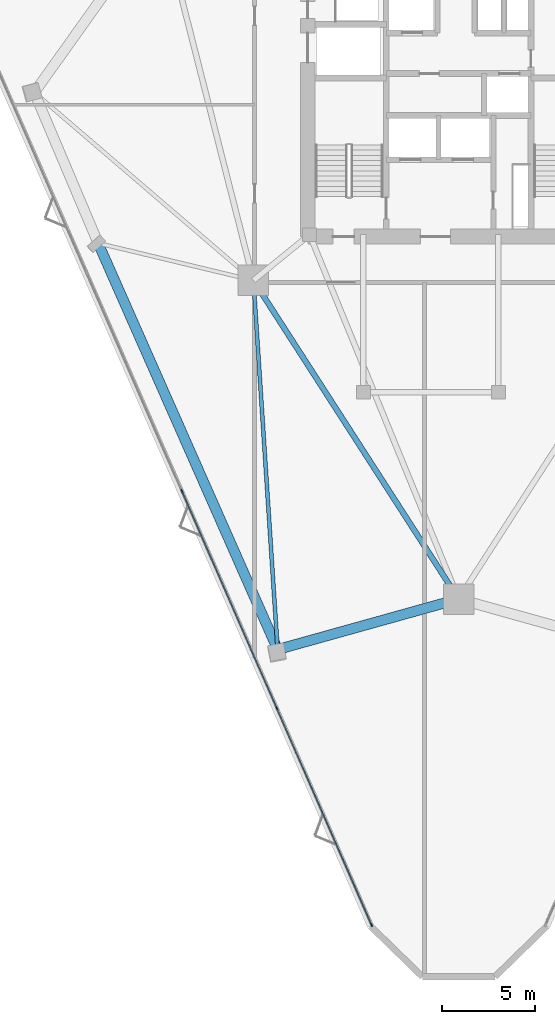
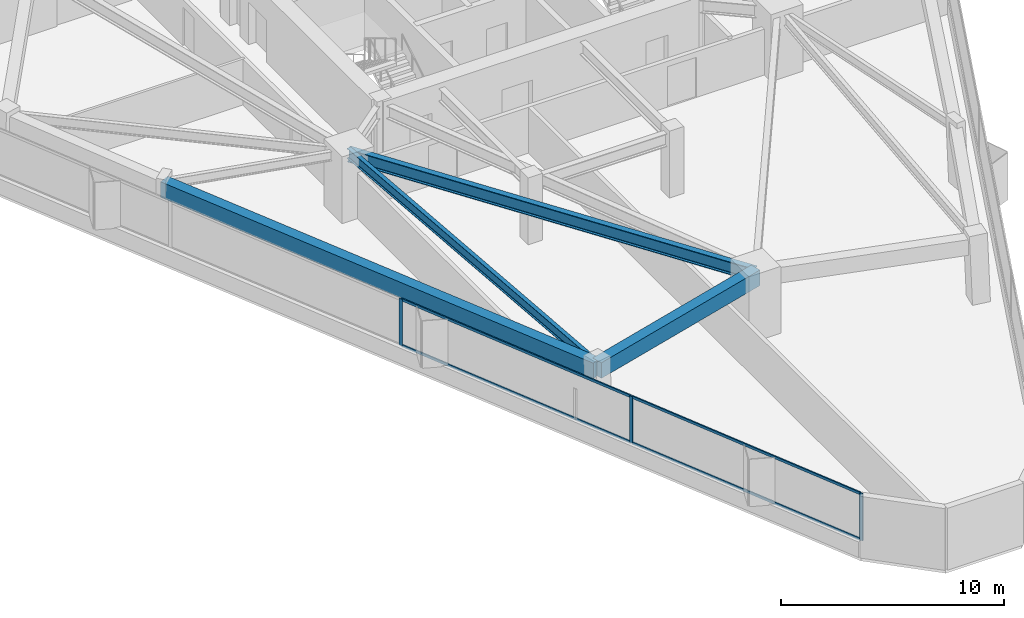
# One storey, part 2 of 16: 7 members, 4 beams, 1 element without a shape of its own.
"""IFC4 building model written with IfcOpenShell, lengths in metres."""

from ifc_helpers import new_model, si_unit, direction, frame, origin, origin_2d, place, context, subcontext, project, spatial, rectangle, i_section, extrude, material, layer, layer_set, material_profile, profile_set, type_object, element, aggregate, save


model = new_model("IFC4")

# Units and contexts
model_context = context("Model", 3, precision=1e-05, world=origin(), true_north=direction((0.0, 1.0)))
body_context = subcontext(model_context, "Body", "Model", "MODEL_VIEW")
ifc_project = project(units=[si_unit("LENGTHUNIT", "METRE"), si_unit("AREAUNIT", "SQUARE_METRE"), si_unit("VOLUMEUNIT", "CUBIC_METRE"), si_unit("PLANEANGLEUNIT", "RADIAN"), si_unit("MASSUNIT", "GRAM", prefix="KILO")], contexts=[model_context])

# Site, building, storey
site_placement = place(None, origin())
site = spatial("IfcSite", under=ifc_project, at=site_placement, CompositionType="ELEMENT")
building_placement = place(site_placement, origin())
building = spatial("IfcBuilding", under=site, at=building_placement, Name="Talyreon Biosciences Tower", CompositionType="ELEMENT")
storey_placement = place(building_placement, frame((0.0, 0.0, 107.85009765625)))
storey = spatial("IfcBuildingStorey", under=building, at=storey_placement, Name="L28", CompositionType="ELEMENT", Elevation=107.85009765625)

# Curtain wall, members
ifc_material_1 = material(Name="Thermally broken aluminium and low-E glazing", Category="aluminium")
ifc_layer = layer(ifc_material_1, 0.18994140625)
ifc_layer_set = layer_set([ifc_layer], Name="Thermally broken aluminium and low-E glazing")
curtain_wall_type = type_object("IfcCurtainWallType", Name="CurtainWall_Zone2Genomics", PredefinedType="NOTDEFINED", material=ifc_layer_set)
curtain_wall_placement = place(storey_placement, origin())
curtain_wall = element("IfcCurtainWall", 1, at=curtain_wall_placement, inside=storey, type_object=curtain_wall_type, Name="L28 Unitised Curtain Wall FCW-L28-00", PredefinedType="NOTDEFINED")
ifc_material_2 = material(Name="Anodised thermally broken aluminium", Category="aluminium")
ifc_material_profile_1 = material_profile(ifc_material_2, rectangle(XDim=0.06494140625, YDim=0.179931640625, at=origin_2d()), Name="ALUM MULLION 65x180")
ifc_profile_set_1 = profile_set([ifc_material_profile_1], Name="Anodised thermally broken aluminium")
member_type_1 = type_object("IfcMemberType", Name="CWMullion_65x180", PredefinedType="MULLION", material=ifc_profile_set_1)
member_1_placement = place(storey_placement, frame((61.295166015625, 24.0537109375, 0.809814453125), z_axis=(0.0, 0.0, 1.0), x_axis=(-0.9163461482, -0.400386983653, 0.0)))
member_1 = element("IfcMember", 2, at=member_1_placement, type_object=member_type_1, Name="CW3 mullion 1", PredefinedType="MULLION", context=body_context, shape_type="SweptSolid", body=[
    extrude(rectangle(XDim=0.06494140625, YDim=0.179931640625, at=origin_2d()), origin(), (0.0, 0.0, 1.0), 2.565185546875),
])
member_2_placement = place(storey_placement, frame((56.177490234375, 35.7666015625, 0.809814453125), z_axis=(0.0, 0.0, 1.0), x_axis=(-0.9163461482, -0.400386983653, 0.0)))
member_2 = element("IfcMember", 3, at=member_2_placement, type_object=member_type_1, Name="CW3 mullion 2", PredefinedType="MULLION", context=body_context, shape_type="SweptSolid", body=[
    extrude(rectangle(XDim=0.06494140625, YDim=0.179931640625, at=origin_2d()), origin(), (0.0, 0.0, 1.0), 2.565185546875),
])
member_3_placement = place(storey_placement, frame((51.046875, 47.509033203125, 0.809814453125), z_axis=(0.0, 0.0, 1.0), x_axis=(-0.9163461482, -0.400386983653, 0.0)))
member_3 = element("IfcMember", 4, at=member_3_placement, type_object=member_type_1, Name="CW3 mullion 3", PredefinedType="MULLION", context=body_context, shape_type="SweptSolid", body=[
    extrude(rectangle(XDim=0.06494140625, YDim=0.179931640625, at=origin_2d()), origin(), (0.0, 0.0, 1.0), 2.565185546875),
])
ifc_material_profile_2 = material_profile(ifc_material_2, rectangle(XDim=0.06494140625, YDim=0.139892578125, at=origin_2d()), Name="ALUM TRANSOM 65x140")
ifc_profile_set_2 = profile_set([ifc_material_profile_2], Name="Anodised thermally broken aluminium")
member_type_2 = type_object("IfcMemberType", Name="CWTransom_65x140", PredefinedType="USERDEFINED", material=ifc_profile_set_2)
member_4_placement = place(storey_placement, frame((61.2822265625, 24.08349609375, 0.84228515625), z_axis=(-0.400371633207, 0.916352855249, 0.0), x_axis=(-0.916352855249, -0.400371633207, 0.0)))
member_4 = element("IfcMember", 5, at=member_4_placement, type_object=member_type_2, Name="CW3 transom 1.1", ObjectType="TRANSOM", PredefinedType="USERDEFINED", context=body_context, shape_type="SweptSolid", body=[
    extrude(rectangle(XDim=0.06494140625, YDim=0.139892578125, at=origin_2d()), origin(), (0.0, 0.0, 1.0), 12.717041015625),
])
member_5_placement = place(storey_placement, frame((61.2822265625, 24.08349609375, 3.34228515625), z_axis=(-0.400371633207, 0.916352855249, 0.0), x_axis=(-0.916352855249, -0.400371633207, 0.0)))
member_5 = element("IfcMember", 6, at=member_5_placement, type_object=member_type_2, Name="CW3 transom 1.2", ObjectType="TRANSOM", PredefinedType="USERDEFINED", context=body_context, shape_type="SweptSolid", body=[
    extrude(rectangle(XDim=0.06494140625, YDim=0.139892578125, at=origin_2d()), origin(), (0.0, 0.0, 1.0), 12.717041015625),
])
member_6_placement = place(storey_placement, frame((56.16455078125, 35.79638671875, 0.84228515625), z_axis=(-0.400389848838, 0.916344896285, 0.0), x_axis=(-0.916344896285, -0.400389848838, 0.0)))
member_6 = element("IfcMember", 7, at=member_6_placement, type_object=member_type_2, Name="CW3 transom 2.1", ObjectType="TRANSOM", PredefinedType="USERDEFINED", context=body_context, shape_type="SweptSolid", body=[
    extrude(rectangle(XDim=0.06494140625, YDim=0.139892578125, at=origin_2d()), origin(), (0.0, 0.0, 1.0), 12.74951171875),
])
member_7_placement = place(storey_placement, frame((56.16455078125, 35.79638671875, 3.34228515625), z_axis=(-0.400389848838, 0.916344896285, 0.0), x_axis=(-0.916344896285, -0.400389848838, 0.0)))
member_7 = element("IfcMember", 8, at=member_7_placement, type_object=member_type_2, Name="CW3 transom 2.2", ObjectType="TRANSOM", PredefinedType="USERDEFINED", context=body_context, shape_type="SweptSolid", body=[
    extrude(rectangle(XDim=0.06494140625, YDim=0.139892578125, at=origin_2d()), origin(), (0.0, 0.0, 1.0), 12.74951171875),
])
aggregate(curtain_wall, [member_1, member_2, member_3, member_4, member_5, member_6, member_7])

# Beams
ifc_material_3 = material(Name="Precast concrete C45/55", Category="concrete")
ifc_material_profile_3 = material_profile(ifc_material_3, rectangle(XDim=0.550048828125, YDim=0.85009765625, at=origin_2d()), Name="RCB 550x850")
ifc_profile_set_3 = profile_set([ifc_material_profile_3], Name="Precast concrete C45/55")
beam_type_1 = type_object("IfcBeamType", Name="ExpressedSpandrel_550x850", PredefinedType="SPANDREL", material=ifc_profile_set_3)
beam_1_placement = place(storey_placement, frame((46.525390625, 60.890869140625, 2.949951171875), z_axis=(0.404092780695, -0.914718002769, 0.0), x_axis=(0.914718002769, 0.404092780695, 0.0)))
element("IfcBeam", 9, at=beam_1_placement, inside=storey, type_object=beam_type_1, Name="L28 Expressed Horizontal Concrete Spandrel 11", PredefinedType="SPANDREL", context=body_context, shape_type="SweptSolid", body=[
    extrude(rectangle(XDim=0.550048828125, YDim=0.85009765625, at=origin_2d()), origin(), (0.0, 0.0, 1.0), 23.996337890625),
])
beam_2_placement = place(storey_placement, frame((56.22216796875, 38.94091796875, 2.949951171875), z_axis=(0.963263176464, 0.268559216689, 0.0), x_axis=(-0.268559216689, 0.963263176464, 0.0)))
element("IfcBeam", 10, at=beam_2_placement, inside=storey, type_object=beam_type_1, Name="L28 Expressed Horizontal Concrete Spandrel 12", PredefinedType="SPANDREL", context=body_context, shape_type="SweptSolid", body=[
    extrude(rectangle(XDim=0.550048828125, YDim=0.85009765625, at=origin_2d()), origin(), (0.0, 0.0, 1.0), 10.150634765625),
])
ifc_material_4 = material(Name="Steel SM355", Category="steel")
ifc_material_profile_4 = material_profile(ifc_material_4, i_section(OverallWidth=0.300048828125, OverallDepth=0.699951171875, WebThickness=0.01708984375, FlangeThickness=0.031982421875, FilletRadius=0.027099609375, at=origin_2d()), Name="HE700B")
ifc_profile_set_4 = profile_set([ifc_material_profile_4], Name="Steel SM355")
beam_type_2 = type_object("IfcBeamType", Name="SteelGirder_HE700B", PredefinedType="BEAM", material=ifc_profile_set_4)
beam_3_placement = place(storey_placement, frame((54.913818359375, 58.88037109375, 3.02490234375), z_axis=(0.541463723609, -0.840724114092, 0.0), x_axis=(0.840724114092, 0.541463723609, 0.0)))
element("IfcBeam", 11, at=beam_3_placement, inside=storey, type_object=beam_type_2, Name="L28 Mega-Ring Girder 6", PredefinedType="BEAM", context=body_context, shape_type="SweptSolid", body=[
    extrude(i_section(OverallWidth=0.300048828125, OverallDepth=0.699951171875, WebThickness=0.01708984375, FlangeThickness=0.031982421875, FilletRadius=0.027099609375, at=origin_2d()), origin(), (0.0, 0.0, 1.0), 20.474365234375),
])
ifc_material_profile_5 = material_profile(ifc_material_4, i_section(OverallWidth=0.2099609375, OverallDepth=0.550048828125, WebThickness=0.010986328125, FlangeThickness=0.01708984375, FilletRadius=0.02392578125, at=origin_2d()), Name="IPE550")
ifc_profile_set_5 = profile_set([ifc_material_profile_5], Name="Steel SM355")
beam_type_3 = type_object("IfcBeamType", Name="SteelJoist_IPE550", PredefinedType="JOIST", material=ifc_profile_set_5)
beam_4_placement = place(storey_placement, frame((54.913818359375, 58.88037109375, 3.099853515625), z_axis=(0.065475323215, -0.997854188772, 0.0), x_axis=(0.997854188772, 0.065475323215, 0.0)))
element("IfcBeam", 12, at=beam_4_placement, inside=storey, type_object=beam_type_3, Name="L28 Radial Composite Floor Joist PC-SW2", PredefinedType="JOIST", context=body_context, shape_type="SweptSolid", body=[
    extrude(i_section(OverallWidth=0.2099609375, OverallDepth=0.550048828125, WebThickness=0.010986328125, FlangeThickness=0.01708984375, FilletRadius=0.02392578125, at=origin_2d()), origin(), (0.0, 0.0, 1.0), 19.982421875),
])

save(model, "model.ifc")
